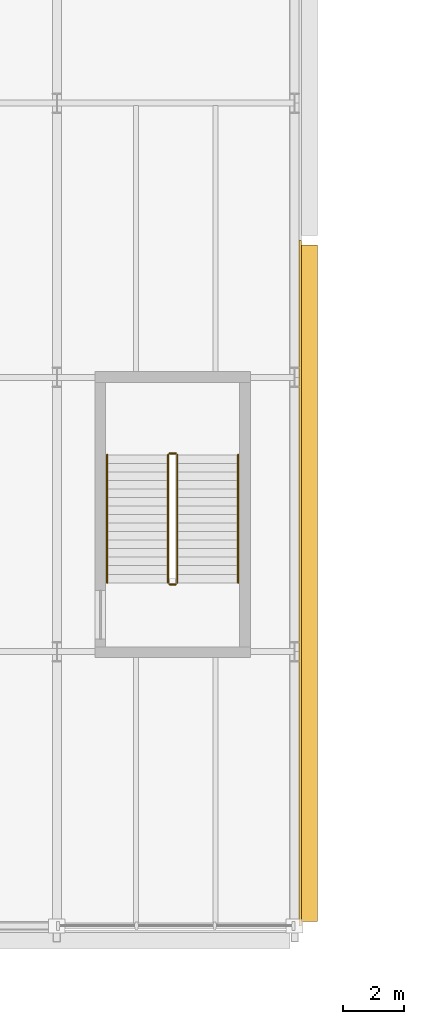
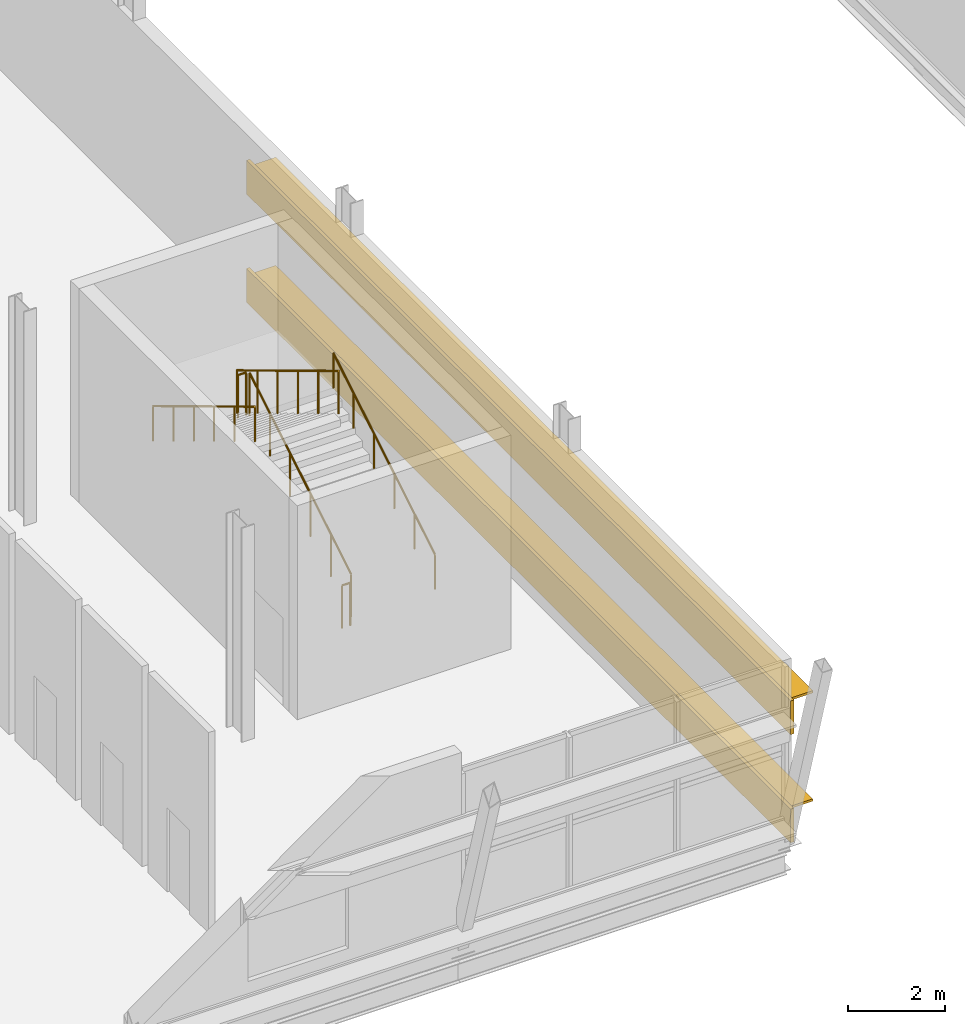
# One storey, part 66 of 78: 6 railings, 2 coverings, 2 shading devices.
"""IFC4 building model written with IfcOpenShell, lengths in metres."""

from ifc_helpers import new_model, si_unit, direction, frame, origin, origin_2d, place, context, subcontext, project, spatial, rectangle, circle, extrude, material, layer, layer_set, type_object, element, save


model = new_model("IFC4")

# Units and contexts
model_context = context("Model", 3, precision=1e-05, world=origin(), true_north=direction((0.0, 1.0)))
body_context = subcontext(model_context, "Body", "Model", "MODEL_VIEW")
ifc_project = project(units=[si_unit("LENGTHUNIT", "METRE"), si_unit("AREAUNIT", "SQUARE_METRE"), si_unit("VOLUMEUNIT", "CUBIC_METRE"), si_unit("PLANEANGLEUNIT", "RADIAN"), si_unit("MASSUNIT", "GRAM", prefix="KILO")], contexts=[model_context])

# Site, building, storey
site_placement = place(None, origin())
site = spatial("IfcSite", under=ifc_project, at=site_placement, CompositionType="ELEMENT")
building_placement = place(site_placement, origin())
building = spatial("IfcBuilding", under=site, at=building_placement, Name="Sefraquen Railside Congress Hotel", CompositionType="ELEMENT")
storey_placement = place(building_placement, frame((0.0, 0.0, 6.0)))
storey = spatial("IfcBuildingStorey", under=building, at=storey_placement, Name="L01", CompositionType="ELEMENT", Elevation=6.0)

# Coverings
ifc_material_1 = material(Name="Patinated architectural bronze", Category="metal")
ifc_layer_1 = layer(ifc_material_1, 0.080078125)
ifc_layer_set_1 = layer_set([ifc_layer_1], Name="Patinated architectural bronze")
covering_type = type_object("IfcCoveringType", Name="TCV-CLAD-01", PredefinedType="CLADDING", material=ifc_layer_set_1)
for number, where, z_axis, x_axis, name in (
    (1, (103.3798828125, 20.25, -0.10498046875), (0.0, 0.0, 1.0), (1.0, 0.0, 0.0), "Congress horizontal bronze cladding band L01-E1"),
    (2, (103.3798828125, 20.25, 2.625), (0.0, 0.0, 1.0), (1.0, 0.0, 0.0), "Congress horizontal bronze cladding band L01-E1-B"),
):
    element("IfcCovering", number, at=place(storey_placement, frame(where, z_axis=z_axis, x_axis=x_axis)), inside=storey, type_object=covering_type, Name=name, PredefinedType="CLADDING", context=body_context, shape_type="SweptSolid", body=[
        extrude(rectangle(XDim=0.080078125, YDim=22.5, at=origin_2d()), origin(), (0.0, 0.0, 1.0), 0.85009765625),
    ])

# Railings
ifc_material_2 = material(Name="Patinated wrought architectural bronze", Category="metal")
railing_type_1 = type_object("IfcRailingType", Name="TRL-BAL-110", PredefinedType="BALUSTRADE", material=ifc_material_2)
railing_1_placement = place(storey_placement, frame((99.35009765625, 20.260009765625, 0.168701171875)))
element("IfcRailing", 3, at=railing_1_placement, inside=storey, type_object=railing_type_1, Name="L01 ST-C03 stair guard 1", PredefinedType="BALUSTRADE", context=body_context, shape_type="SweptSolid", body=[
    extrude(circle(Radius=0.02392578125, at=origin_2d()), frame((0.0, 0.0, 1.076171875), z_axis=(0.0, 0.856476492594, 0.516186030065), x_axis=(-1.0, 0.0, 0.0)), (0.0, 0.0, 1.0), 4.90380859375),
    extrude(circle(Radius=0.02099609375, at=origin_2d()), origin(), (0.0, 0.0, 1.0), 1.052001953125),
    extrude(circle(Radius=0.02099609375, at=origin_2d()), frame((0.0, 0.840087890625, 0.50634765625)), (0.0, 0.0, 1.0), 1.052001953125),
    extrude(circle(Radius=0.02099609375, at=origin_2d()), frame((0.0, 1.679931640625, 1.012451171875)), (0.0, 0.0, 1.0), 1.052001953125),
    extrude(circle(Radius=0.02099609375, at=origin_2d()), frame((0.0, 2.52001953125, 1.518798828125)), (0.0, 0.0, 1.0), 1.052001953125),
    extrude(circle(Radius=0.02099609375, at=origin_2d()), frame((0.0, 3.35986328125, 2.02490234375)), (0.0, 0.0, 1.0), 1.052001953125),
    extrude(circle(Radius=0.02099609375, at=origin_2d()), frame((0.0, 4.199951171875, 2.53125)), (0.0, 0.0, 1.0), 1.052001953125),
])
railing_2_placement = place(storey_placement, frame((99.300048828125, 24.510009765625, 2.699951171875)))
element("IfcRailing", 4, at=railing_2_placement, inside=storey, type_object=railing_type_1, Name="L01 ST-C03 stair guard 2", PredefinedType="BALUSTRADE", context=body_context, shape_type="SweptSolid", body=[
    extrude(circle(Radius=0.02392578125, at=origin_2d()), frame((0.0, 0.0, 1.076171875), z_axis=(-1.0, 0.0, 0.0), x_axis=(0.0, -1.0, 0.0)), (0.0, 0.0, 1.0), 0.199951171875),
    extrude(circle(Radius=0.02099609375, at=origin_2d()), origin(), (0.0, 0.0, 1.0), 1.052001953125),
    extrude(circle(Radius=0.02099609375, at=origin_2d()), frame((-0.199951171875, 0.0, 0.0)), (0.0, 0.0, 1.0), 1.052001953125),
])
railing_3_placement = place(storey_placement, frame((99.050048828125, 24.4599609375, 2.86865234375)))
element("IfcRailing", 5, at=railing_3_placement, inside=storey, type_object=railing_type_1, Name="L01 ST-C03 stair guard 3", PredefinedType="BALUSTRADE", context=body_context, shape_type="SweptSolid", body=[
    extrude(circle(Radius=0.02392578125, at=origin_2d()), frame((0.0, 0.0, 1.076171875), z_axis=(0.0, -0.856476492594, 0.516186030065), x_axis=(1.0, 0.0, 0.0)), (0.0, 0.0, 1.0), 4.90380859375),
    extrude(circle(Radius=0.02099609375, at=origin_2d()), origin(), (0.0, 0.0, 1.0), 1.052001953125),
    extrude(circle(Radius=0.02099609375, at=origin_2d()), frame((0.0, -0.840087890625, 0.50634765625)), (0.0, 0.0, 1.0), 1.052001953125),
    extrude(circle(Radius=0.02099609375, at=origin_2d()), frame((0.0, -1.679931640625, 1.012451171875)), (0.0, 0.0, 1.0), 1.052001953125),
    extrude(circle(Radius=0.02099609375, at=origin_2d()), frame((0.0, -2.52001953125, 1.518798828125)), (0.0, 0.0, 1.0), 1.052001953125),
    extrude(circle(Radius=0.02099609375, at=origin_2d()), frame((0.0, -3.35986328125, 2.02490234375)), (0.0, 0.0, 1.0), 1.052001953125),
    extrude(circle(Radius=0.02099609375, at=origin_2d()), frame((0.0, -4.199951171875, 2.53125)), (0.0, 0.0, 1.0), 1.052001953125),
])
railing_4_placement = place(storey_placement, frame((99.300048828125, 20.2099609375, 0.0)))
element("IfcRailing", 6, at=railing_4_placement, inside=storey, type_object=railing_type_1, Name="L01 ST-C03 stair guard 4", PredefinedType="BALUSTRADE", context=body_context, shape_type="SweptSolid", body=[
    extrude(circle(Radius=0.02392578125, at=origin_2d()), frame((0.0, 0.0, 1.076171875), z_axis=(-1.0, 0.0, 0.0), x_axis=(0.0, -1.0, 0.0)), (0.0, 0.0, 1.0), 0.199951171875),
    extrude(circle(Radius=0.02099609375, at=origin_2d()), origin(), (0.0, 0.0, 1.0), 1.052001953125),
    extrude(circle(Radius=0.02099609375, at=origin_2d()), frame((-0.199951171875, 0.0, 0.0)), (0.0, 0.0, 1.0), 1.052001953125),
])
railing_type_2 = type_object("IfcRailingType", Name="TRL-HR-090", PredefinedType="HANDRAIL", material=ifc_material_2)
railing_5_placement = place(storey_placement, frame((101.35009765625, 20.260009765625, 0.168701171875)))
element("IfcRailing", 7, at=railing_5_placement, inside=storey, type_object=railing_type_2, Name="L01 ST-C03 stair handrail 1", PredefinedType="HANDRAIL", context=body_context, shape_type="SweptSolid", body=[
    extrude(circle(Radius=0.02392578125, at=origin_2d()), frame((0.0, 0.0, 0.8759765625), z_axis=(0.0, 0.856476492594, 0.516186030065), x_axis=(-1.0, 0.0, 0.0)), (0.0, 0.0, 1.0), 4.90380859375),
    extrude(circle(Radius=0.02099609375, at=origin_2d()), origin(), (0.0, 0.0, 1.0), 0.851806640625),
    extrude(circle(Radius=0.02099609375, at=origin_2d()), frame((0.0, 0.840087890625, 0.50634765625)), (0.0, 0.0, 1.0), 0.851806640625),
    extrude(circle(Radius=0.02099609375, at=origin_2d()), frame((0.0, 1.679931640625, 1.012451171875)), (0.0, 0.0, 1.0), 0.851806640625),
    extrude(circle(Radius=0.02099609375, at=origin_2d()), frame((0.0, 2.52001953125, 1.518798828125)), (0.0, 0.0, 1.0), 0.851806640625),
    extrude(circle(Radius=0.02099609375, at=origin_2d()), frame((0.0, 3.35986328125, 2.02490234375)), (0.0, 0.0, 1.0), 0.851806640625),
    extrude(circle(Radius=0.02099609375, at=origin_2d()), frame((0.0, 4.199951171875, 2.53125)), (0.0, 0.0, 1.0), 0.851806640625),
])
railing_6_placement = place(storey_placement, frame((97.050048828125, 24.4599609375, 2.86865234375)))
element("IfcRailing", 8, at=railing_6_placement, inside=storey, type_object=railing_type_2, Name="L01 ST-C03 stair handrail 2", PredefinedType="HANDRAIL", context=body_context, shape_type="SweptSolid", body=[
    extrude(circle(Radius=0.02392578125, at=origin_2d()), frame((0.0, 0.0, 0.8759765625), z_axis=(0.0, -0.856476492594, 0.516186030065), x_axis=(1.0, 0.0, 0.0)), (0.0, 0.0, 1.0), 4.90380859375),
    extrude(circle(Radius=0.02099609375, at=origin_2d()), origin(), (0.0, 0.0, 1.0), 0.851806640625),
    extrude(circle(Radius=0.02099609375, at=origin_2d()), frame((0.0, -0.840087890625, 0.50634765625)), (0.0, 0.0, 1.0), 0.851806640625),
    extrude(circle(Radius=0.02099609375, at=origin_2d()), frame((0.0, -1.679931640625, 1.012451171875)), (0.0, 0.0, 1.0), 0.851806640625),
    extrude(circle(Radius=0.02099609375, at=origin_2d()), frame((0.0, -2.52001953125, 1.518798828125)), (0.0, 0.0, 1.0), 0.851806640625),
    extrude(circle(Radius=0.02099609375, at=origin_2d()), frame((0.0, -3.35986328125, 2.02490234375)), (0.0, 0.0, 1.0), 0.851806640625),
    extrude(circle(Radius=0.02099609375, at=origin_2d()), frame((0.0, -4.199951171875, 2.53125)), (0.0, 0.0, 1.0), 0.851806640625),
])

# Shading devices
ifc_layer_2 = layer(ifc_material_1, 0.06005859375)
ifc_layer_set_2 = layer_set([ifc_layer_2], Name="Patinated architectural bronze")
shading_device_type = type_object("IfcShadingDeviceType", Name="TSH-BS-01", PredefinedType="USERDEFINED", material=ifc_layer_set_2)
for number, where, z_axis, x_axis, name in (
    (9, (103.679931640625, 20.25, 0.639892578125), (0.0, 0.0, 1.0), (1.0, 0.0, 0.0), "Congress east horizontal brise-soleil L01-E1"),
    (10, (103.679931640625, 20.25, 3.369873046875), (0.0, 0.0, 1.0), (1.0, 0.0, 0.0), "Congress east horizontal brise-soleil L01-E1-B"),
):
    element("IfcShadingDevice", number, at=place(storey_placement, frame(where, z_axis=z_axis, x_axis=x_axis)), inside=storey, type_object=shading_device_type, Name=name, ObjectType="BRISE SOLEIL", PredefinedType="USERDEFINED", context=body_context, shape_type="SweptSolid", body=[
        extrude(rectangle(XDim=0.550048828125, YDim=22.199951171875, at=origin_2d()), origin(), (0.0, 0.0, 1.0), 0.06005859375),
    ])

save(model, "model.ifc")
